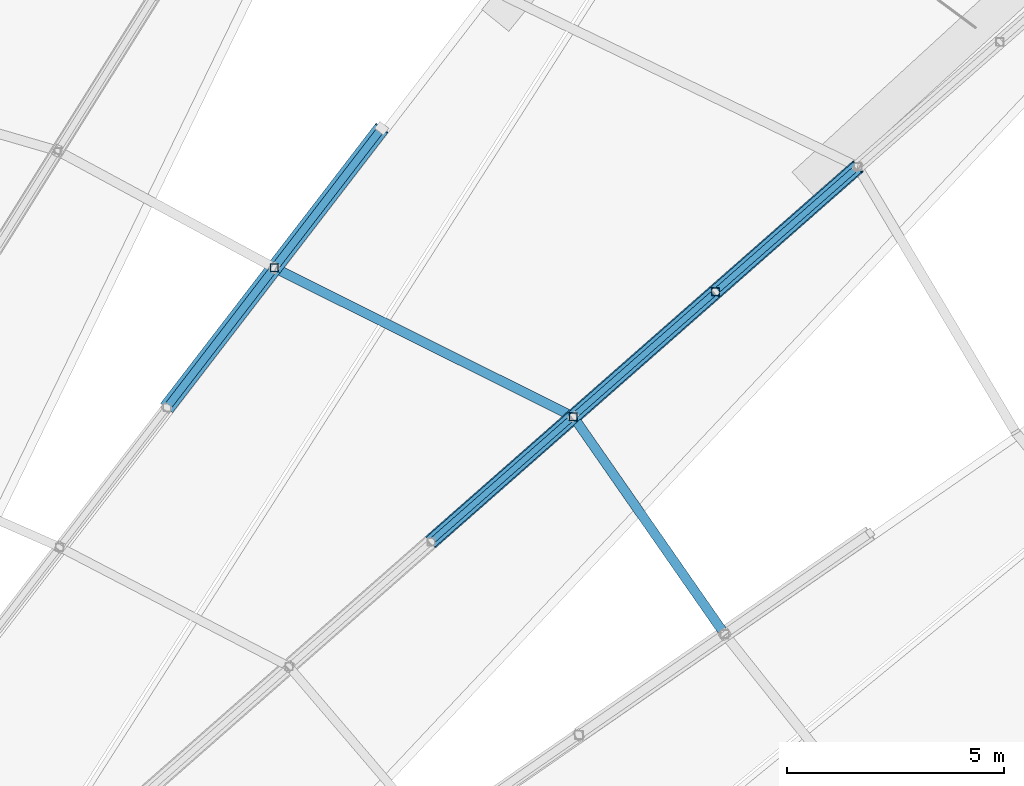
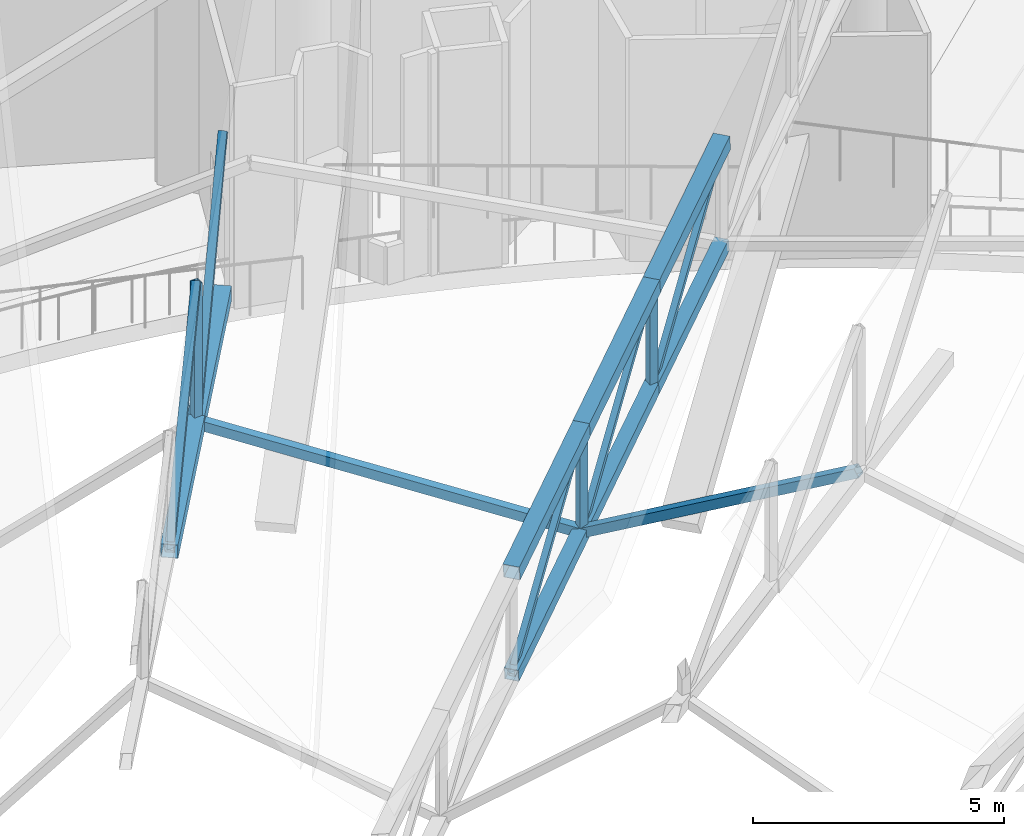
# One storey, part 190 of 344: 18 members.
"""IFC4 building model written with IfcOpenShell, lengths in metres."""

from ifc_helpers import new_model, si_unit, direction, frame, origin, origin_2d, place, context, subcontext, project, spatial, hollow_rectangle, extrude, material, material_profile, profile_set, type_object, element, save


model = new_model("IFC4")

# Units and contexts
model_context = context("Model", 3, precision=1e-05, world=origin(), true_north=direction((0.0, 1.0)))
body_context = subcontext(model_context, "Body", "Model", "MODEL_VIEW")
ifc_project = project(units=[si_unit("LENGTHUNIT", "METRE"), si_unit("AREAUNIT", "SQUARE_METRE"), si_unit("VOLUMEUNIT", "CUBIC_METRE"), si_unit("PLANEANGLEUNIT", "RADIAN"), si_unit("MASSUNIT", "GRAM", prefix="KILO")], contexts=[model_context])

# Site, building, storey
site_placement = place(None, origin())
site = spatial("IfcSite", under=ifc_project, at=site_placement, CompositionType="ELEMENT")
building_placement = place(site_placement, origin())
building = spatial("IfcBuilding", under=site, at=building_placement, Name="Meseta Stadium", CompositionType="ELEMENT")
storey_placement = place(building_placement, frame((0.0, 0.0, 24.0)))
storey = spatial("IfcBuildingStorey", under=building, at=storey_placement, Name="L04", CompositionType="ELEMENT", Elevation=24.0)

# Members
ifc_material_1 = material(Name="Steel S355", Category="steel")
ifc_material_profile_1 = material_profile(ifc_material_1, hollow_rectangle(XDim=0.139892578125, YDim=0.139892578125, WallThickness=0.0048828125, at=origin_2d()), Name="SHS 140x140x5")
ifc_profile_set_1 = profile_set([ifc_material_profile_1], Name="Steel S355")
member_type_1 = type_object("IfcMemberType", Name="SHS 140x140x5 diagonal", PredefinedType="BRACE", material=ifc_profile_set_1)
member_1_placement = place(storey_placement, frame((48.237060546875, 70.392333984375, 2.71728515625), z_axis=(0.612494237842, 0.538299524981, 0.578864776969), x_axis=(-0.660147138656, 0.751136309416, 0.0)))
element("IfcMember", 1, at=member_1_placement, inside=storey, type_object=member_type_1, Name="ROOF TRUSS RT-13 diagonal", PredefinedType="BRACE", context=body_context, shape_type="SweptSolid", body=[
    extrude(hollow_rectangle(XDim=0.139892578125, YDim=0.139892578125, WallThickness=0.0048828125, at=origin_2d()), origin(), (0.0, 0.0, 1.0), 5.350341796875),
])
for number, where, z_axis, x_axis, name in (
    (2, (51.51416015625, 73.2724609375, 3.32080078125), (0.612525461727, 0.538281334019, 0.578848653953), (-0.660115564574, 0.751164057585, 0.0), "ROOF TRUSS RT-13 diagonal"),
    (3, (54.791259765625, 76.15234375, 3.924072265625), (0.612481902981, 0.538328789261, 0.578850613866), (-0.660174887179, 0.751111921312, 0.0), "ROOF TRUSS RT-13 diagonal"),
):
    element("IfcMember", number, at=place(storey_placement, frame(where, z_axis=z_axis, x_axis=x_axis)), inside=storey, type_object=member_type_1, Name=name, PredefinedType="BRACE", context=body_context, shape_type="SweptSolid", body=[
        extrude(hollow_rectangle(XDim=0.139892578125, YDim=0.139892578125, WallThickness=0.0048828125, at=origin_2d()), origin(), (0.0, 0.0, 1.0), 5.35009765625),
    ])
ifc_material_2 = material(Name="Steel S355", Category="steel")
ifc_material_profile_2 = material_profile(ifc_material_2, hollow_rectangle(XDim=0.179931640625, YDim=0.179931640625, WallThickness=0.00634765625, at=origin_2d()), Name="SHS 180x180x6.3")
ifc_profile_set_2 = profile_set([ifc_material_profile_2], Name="Steel S355")
member_type_2 = type_object("IfcMemberType", Name="SHS 180x180x6.3 diagonal", PredefinedType="BRACE", material=ifc_profile_set_2)
member_2_placement = place(storey_placement, frame((42.147705078125, 73.484375, 5.981689453125), z_axis=(0.448268712924, 0.582996940216, 0.677620637756), x_axis=(-0.792749139849, 0.609548030321, 0.0)))
element("IfcMember", 4, at=member_2_placement, inside=storey, type_object=member_type_2, Name="ROOF TRUSS RT-14 diagonal", PredefinedType="BRACE", context=body_context, shape_type="SweptSolid", body=[
    extrude(hollow_rectangle(XDim=0.179931640625, YDim=0.179931640625, WallThickness=0.00634765625, at=origin_2d()), origin(), (0.0, 0.0, 1.0), 5.521484375),
])
member_3_placement = place(storey_placement, frame((44.622802734375, 76.703369140625, 6.316162109375), z_axis=(0.42143458468, 0.548097750937, 0.722483042191), x_axis=(-0.792749139849, 0.609548030321, 0.0)))
element("IfcMember", 5, at=member_3_placement, inside=storey, type_object=member_type_2, Name="ROOF TRUSS RT-14 diagonal", PredefinedType="BRACE", context=body_context, shape_type="SweptSolid", body=[
    extrude(hollow_rectangle(XDim=0.179931640625, YDim=0.179931640625, WallThickness=0.00634765625, at=origin_2d()), origin(), (0.0, 0.0, 1.0), 5.873046875),
])
ifc_material_3 = material(Name="Steel S355", Category="steel")
ifc_material_profile_3 = material_profile(ifc_material_3, hollow_rectangle(XDim=0.179931640625, YDim=0.179931640625, WallThickness=0.00634765625, at=origin_2d()), Name="SHS 180x180x6.3")
ifc_profile_set_3 = profile_set([ifc_material_profile_3], Name="Steel S355")
member_type_3 = type_object("IfcMemberType", Name="SHS 180x180x6.3 post", PredefinedType="POST", material=ifc_profile_set_3)
for number, where, z_axis, x_axis, name in (
    (6, (51.51416015625, 73.2724609375, 3.32080078125), (0.0, 0.0, 1.0), (1.0, 0.0, 0.0), "ROOF TRUSS RT-13 post"),
    (7, (54.791259765625, 76.15234375, 3.924072265625), (0.0, 0.0, 1.0), (1.0, 0.0, 0.0), "ROOF TRUSS RT-13 post"),
):
    element("IfcMember", number, at=place(storey_placement, frame(where, z_axis=z_axis, x_axis=x_axis)), inside=storey, type_object=member_type_3, Name=name, PredefinedType="POST", context=body_context, shape_type="SweptSolid", body=[
        extrude(hollow_rectangle(XDim=0.179931640625, YDim=0.179931640625, WallThickness=0.00634765625, at=origin_2d()), origin(), (0.0, 0.0, 1.0), 2.49365234375),
    ])
member_4_placement = place(storey_placement, frame((44.622802734375, 76.703369140625, 6.316162109375), z_axis=(0.0, 0.0, 1.0), x_axis=(1.0, 0.0, 0.0)))
element("IfcMember", 8, at=member_4_placement, inside=storey, type_object=member_type_3, Name="ROOF TRUSS RT-14 post", PredefinedType="POST", context=body_context, shape_type="SweptSolid", body=[
    extrude(hollow_rectangle(XDim=0.179931640625, YDim=0.179931640625, WallThickness=0.00634765625, at=origin_2d()), origin(), (0.0, 0.0, 1.0), 3.406982421875),
])
ifc_material_4 = material(Name="Steel S355", Category="steel")
ifc_material_profile_4 = material_profile(ifc_material_4, hollow_rectangle(XDim=0.219970703125, YDim=0.219970703125, WallThickness=0.008056640625, at=origin_2d()), Name="SHS 220x220x8")
ifc_profile_set_4 = profile_set([ifc_material_profile_4], Name="Steel S355")
member_type_4 = type_object("IfcMemberType", Name="SHS 220x220x8 strut", PredefinedType="STRUT", material=ifc_profile_set_4)
member_5_placement = place(storey_placement, frame((55.0, 68.263671875, 6.6044921875), z_axis=(-0.50302407438, 0.722793242049, -0.473853046674), x_axis=(-0.820792655364, -0.571226239681, 0.0)))
element("IfcMember", 9, at=member_5_placement, inside=storey, type_object=member_type_4, Name="ROOF TRUSS STRUT RT-12/13", PredefinedType="STRUT", context=body_context, shape_type="SweptSolid", body=[
    extrude(hollow_rectangle(XDim=0.219970703125, YDim=0.219970703125, WallThickness=0.008056640625, at=origin_2d()), origin(), (0.0, 0.0, 1.0), 6.9296875),
])
member_6_placement = place(storey_placement, frame((51.51416015625, 73.2724609375, 3.32080078125), z_axis=(-0.834264864282, 0.415344320606, 0.362617197006), x_axis=(-0.445677975444, -0.895193354647, 0.0)))
element("IfcMember", 10, at=member_6_placement, inside=storey, type_object=member_type_4, Name="ROOF TRUSS STRUT RT-13/14", PredefinedType="STRUT", context=body_context, shape_type="SweptSolid", body=[
    extrude(hollow_rectangle(XDim=0.219970703125, YDim=0.219970703125, WallThickness=0.008056640625, at=origin_2d()), origin(), (0.0, 0.0, 1.0), 8.260498046875),
])
ifc_material_5 = material(Name="Steel S355", Category="steel")
ifc_material_profile_5 = material_profile(ifc_material_5, hollow_rectangle(XDim=0.300048828125, YDim=0.300048828125, WallThickness=0.010009765625, at=origin_2d()), Name="SHS 300x300x10")
ifc_profile_set_5 = profile_set([ifc_material_profile_5], Name="Steel S355")
member_type_5 = type_object("IfcMemberType", Name="SHS 300x300x10 bottom chord", PredefinedType="CHORD", material=ifc_profile_set_5)
for number, where, z_axis, x_axis, name in (
    (11, (48.237060546875, 70.392333984375, 2.71728515625), (0.744051221143, 0.653920305135, 0.137025599245), (-0.660147138656, 0.751136309416, 0.0), "ROOF TRUSS RT-13 bottom chord"),
    (12, (51.51416015625, 73.2724609375, 3.32080078125), (0.744083842422, 0.653893541325, 0.136976173331), (-0.660115564574, 0.751164057585, 0.0), "ROOF TRUSS RT-13 bottom chord"),
    (13, (54.791259765625, 76.15234375, 3.924072265625), (0.744032126483, 0.653952242298, 0.136976857736), (-0.660174887179, 0.751111921312, 0.0), "ROOF TRUSS RT-13 bottom chord"),
):
    element("IfcMember", number, at=place(storey_placement, frame(where, z_axis=z_axis, x_axis=x_axis)), inside=storey, type_object=member_type_5, Name=name, PredefinedType="CHORD", context=body_context, shape_type="SweptSolid", body=[
        extrude(hollow_rectangle(XDim=0.300048828125, YDim=0.300048828125, WallThickness=0.010009765625, at=origin_2d()), origin(), (0.0, 0.0, 1.0), 4.404296875),
    ])
ifc_material_6 = material(Name="Steel S355", Category="steel")
ifc_material_profile_6 = material_profile(ifc_material_6, hollow_rectangle(XDim=0.35009765625, YDim=0.35009765625, WallThickness=0.010009765625, at=origin_2d()), Name="SHS 350x350x10")
ifc_profile_set_6 = profile_set([ifc_material_profile_6], Name="Steel S355")
member_type_6 = type_object("IfcMemberType", Name="SHS 350x350x10 bottom chord", PredefinedType="CHORD", material=ifc_profile_set_6)
for number, where, z_axis, x_axis, name in (
    (14, (42.147705078125, 73.484375, 5.981689453125), (0.607490590337, 0.790073331386, 0.082093323019), (-0.792749139849, 0.609548030321, 0.0), "ROOF TRUSS RT-14 bottom chord"),
    (15, (44.622802734375, 76.703369140625, 6.316162109375), (0.607490590337, 0.790073331386, 0.082093323019), (-0.792749139849, 0.609548030321, 0.0), "ROOF TRUSS RT-14 bottom chord"),
):
    element("IfcMember", number, at=place(storey_placement, frame(where, z_axis=z_axis, x_axis=x_axis)), inside=storey, type_object=member_type_6, Name=name, PredefinedType="CHORD", context=body_context, shape_type="SweptSolid", body=[
        extrude(hollow_rectangle(XDim=0.35009765625, YDim=0.35009765625, WallThickness=0.010009765625, at=origin_2d()), origin(), (0.0, 0.0, 1.0), 4.07421875),
    ])
ifc_material_7 = material(Name="Steel S355", Category="steel")
ifc_material_profile_7 = material_profile(ifc_material_7, hollow_rectangle(XDim=0.35009765625, YDim=0.35009765625, WallThickness=0.010009765625, at=origin_2d()), Name="SHS 350x350x10")
ifc_profile_set_7 = profile_set([ifc_material_profile_7], Name="Steel S355")
member_type_7 = type_object("IfcMemberType", Name="SHS 350x350x10 top chord", PredefinedType="CHORD", material=ifc_profile_set_7)
for number, where, z_axis, x_axis, name in (
    (16, (48.237060546875, 70.392333984375, 5.2109375), (0.744051221143, 0.653920305135, 0.137025599245), (-0.660147138656, 0.751136309416, 0.0), "ROOF TRUSS RT-13 top chord"),
    (17, (51.51416015625, 73.2724609375, 5.814453125), (0.744083842422, 0.653893541325, 0.136976173331), (-0.660115564574, 0.751164057585, 0.0), "ROOF TRUSS RT-13 top chord"),
    (18, (54.791259765625, 76.15234375, 6.417724609375), (0.744032126483, 0.653952242298, 0.136976857736), (-0.660174887179, 0.751111921312, 0.0), "ROOF TRUSS RT-13 top chord"),
):
    element("IfcMember", number, at=place(storey_placement, frame(where, z_axis=z_axis, x_axis=x_axis)), inside=storey, type_object=member_type_7, Name=name, PredefinedType="CHORD", context=body_context, shape_type="SweptSolid", body=[
        extrude(hollow_rectangle(XDim=0.35009765625, YDim=0.35009765625, WallThickness=0.010009765625, at=origin_2d()), origin(), (0.0, 0.0, 1.0), 4.404296875),
    ])

save(model, "model.ifc")
